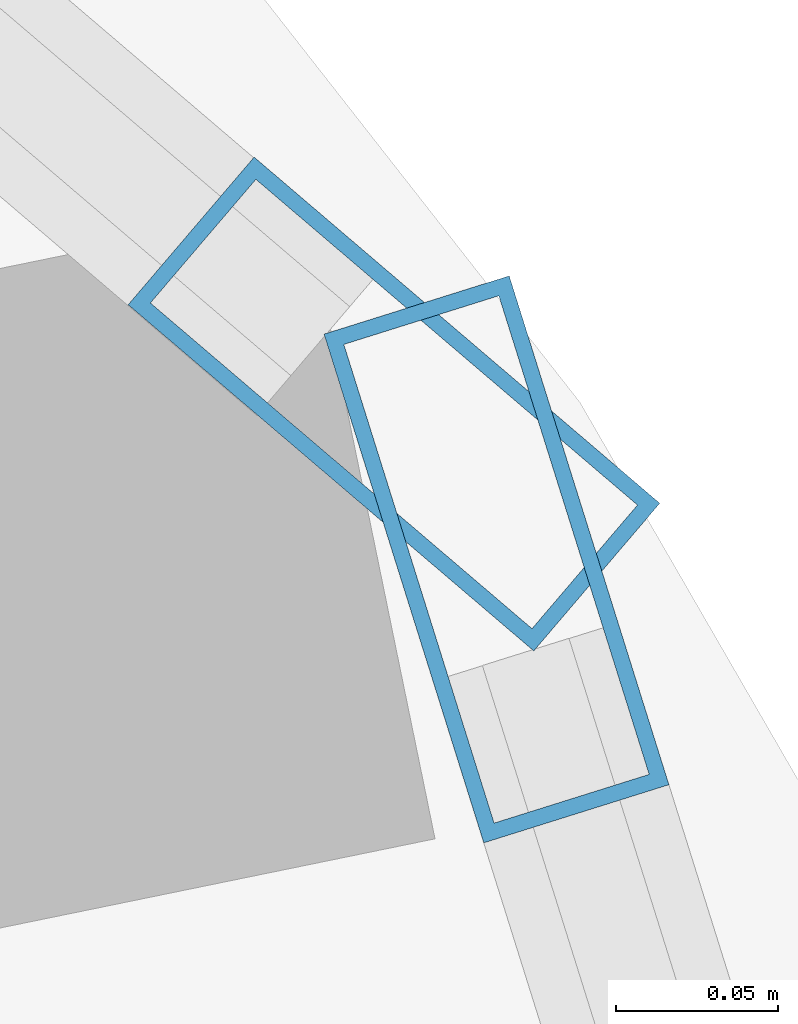
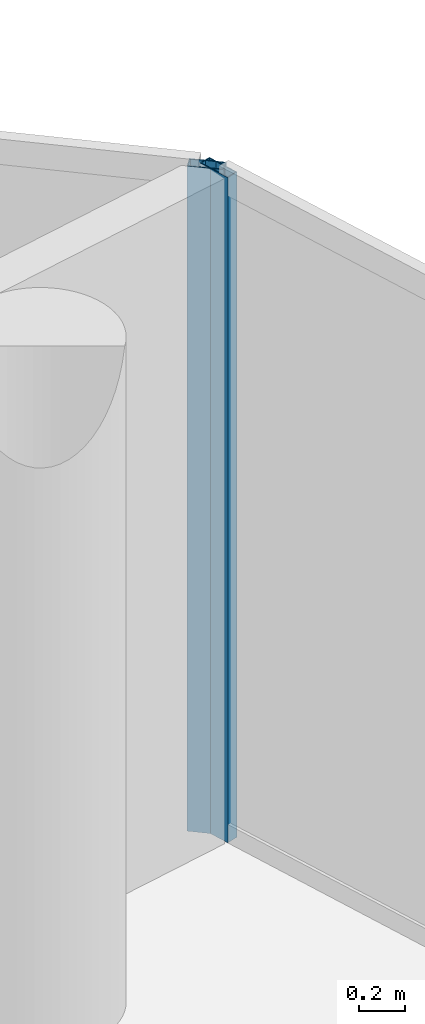
# One storey, part 14 of 24: 2 members, 2 elements without a shape of their own.
"""IFC4 building model written with IfcOpenShell, lengths in metres."""

from ifc_helpers import new_model, si_unit, direction, frame, origin, origin_2d, place, context, subcontext, project, spatial, hollow_rectangle, extrude, material, layer, layer_set, material_profile, profile_set, type_object, element, aggregate, save


model = new_model("IFC4")

# Units and contexts
model_context = context("Model", 3, precision=1e-05, world=origin(), true_north=direction((0.0, 1.0)))
body_context = subcontext(model_context, "Body", "Model", "MODEL_VIEW")
ifc_project = project(units=[si_unit("LENGTHUNIT", "METRE"), si_unit("AREAUNIT", "SQUARE_METRE"), si_unit("VOLUMEUNIT", "CUBIC_METRE"), si_unit("PLANEANGLEUNIT", "RADIAN"), si_unit("MASSUNIT", "GRAM", prefix="KILO")], contexts=[model_context])

# Site, building, storey
site_placement = place(None, origin())
site = spatial("IfcSite", under=ifc_project, at=site_placement, CompositionType="ELEMENT")
building_placement = place(site_placement, origin())
building = spatial("IfcBuilding", under=site, at=building_placement, Name="Nuhasar Tower", CompositionType="ELEMENT")
storey_placement = place(building_placement, frame((0.0, 0.0, 263.199951171875)))
storey = spatial("IfcBuildingStorey", under=building, at=storey_placement, Name="L65", CompositionType="ELEMENT", Elevation=263.199951171875)

# Curtain wall, member
ifc_material = material(Name="Aluminium 6063-T6", Category="aluminium")
ifc_layer = layer(ifc_material, 0.18994140625)
ifc_layer_set = layer_set([ifc_layer], Name="Aluminium 6063-T6")
curtain_wall_type = type_object("IfcCurtainWallType", Name="CW-Z4-PEN", PredefinedType="NOTDEFINED", material=ifc_layer_set)
curtain_wall_1_placement = place(storey_placement, origin())
curtain_wall_1 = element("IfcCurtainWall", 1, at=curtain_wall_1_placement, inside=storey, type_object=curtain_wall_type, Name="L65 Unitised Curtain Wall 01", PredefinedType="NOTDEFINED")
ifc_material_profile = material_profile(ifc_material, hollow_rectangle(XDim=0.06005859375, YDim=0.1650390625, WallThickness=0.0048828125, at=origin_2d()), Name="CWM-5")
ifc_profile_set = profile_set([ifc_material_profile], Name="Aluminium 6063-T6")
member_type = type_object("IfcMemberType", Name="CW-MUL-S5", PredefinedType="MULLION", material=ifc_profile_set)
member_1_placement = place(storey_placement, frame((56.72802734375, 35.50146484375, 0.0), z_axis=(0.0, 0.0, 1.0), x_axis=(-0.954078526601, -0.299556614146, 0.0)))
member_1 = element("IfcMember", 2, at=member_1_placement, type_object=member_type, Name="CW-Z4 mullion 2", PredefinedType="MULLION", context=body_context, shape_type="SweptSolid", body=[
    extrude(hollow_rectangle(XDim=0.06005859375, YDim=0.1650390625, WallThickness=0.0048828125, at=origin_2d()), origin(), (0.0, 0.0, 1.0), 3.5400390625),
])
aggregate(curtain_wall_1, [member_1])

curtain_wall_2_placement = place(storey_placement, origin())
curtain_wall_2 = element("IfcCurtainWall", 3, at=curtain_wall_2_placement, inside=storey, type_object=curtain_wall_type, Name="L65 Unitised Curtain Wall 02", PredefinedType="NOTDEFINED")
member_2_placement = place(storey_placement, frame((56.6962890625, 35.549560546875, 0.0), z_axis=(0.0, 0.0, 1.0), x_axis=(-0.649141996205, -0.760667252327, 0.0)))
member_2 = element("IfcMember", 4, at=member_2_placement, type_object=member_type, Name="CW-Z4 mullion 1", PredefinedType="MULLION", context=body_context, shape_type="SweptSolid", body=[
    extrude(hollow_rectangle(XDim=0.06005859375, YDim=0.1650390625, WallThickness=0.0048828125, at=origin_2d()), origin(), (0.0, 0.0, 1.0), 3.5400390625),
])
aggregate(curtain_wall_2, [member_2])

save(model, "model.ifc")
